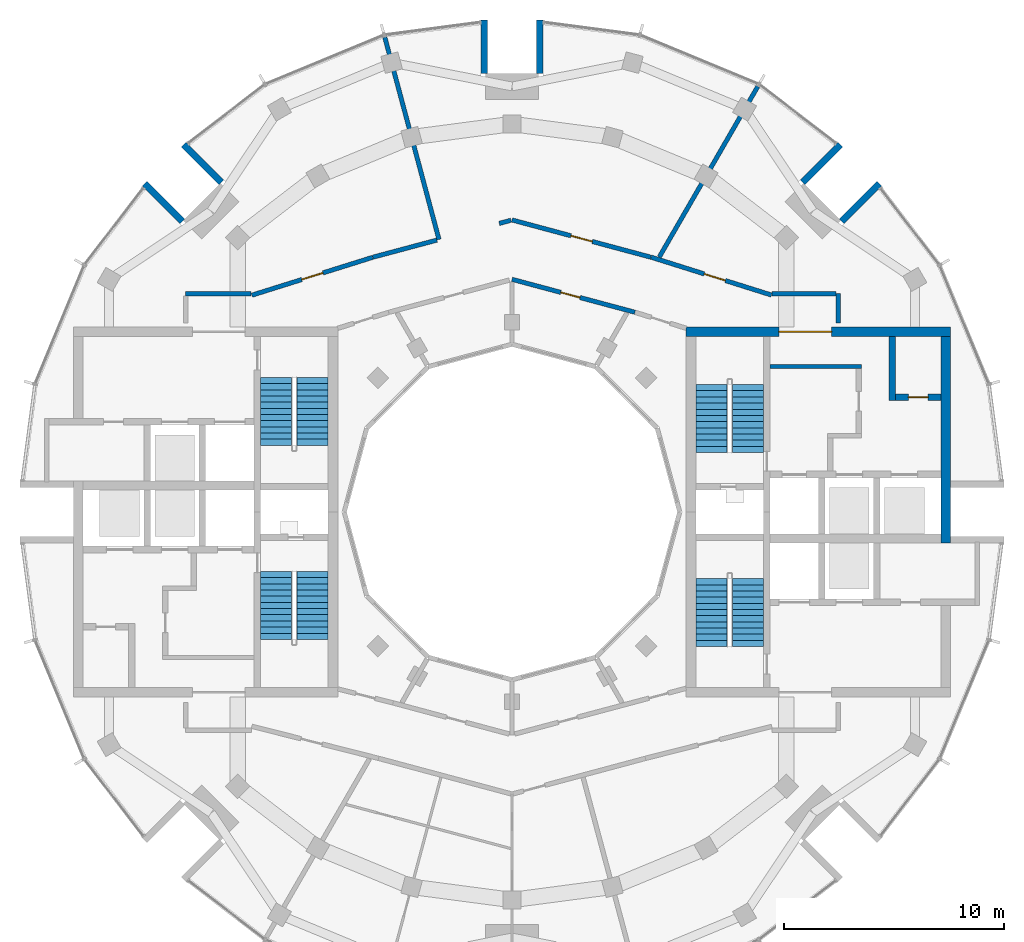
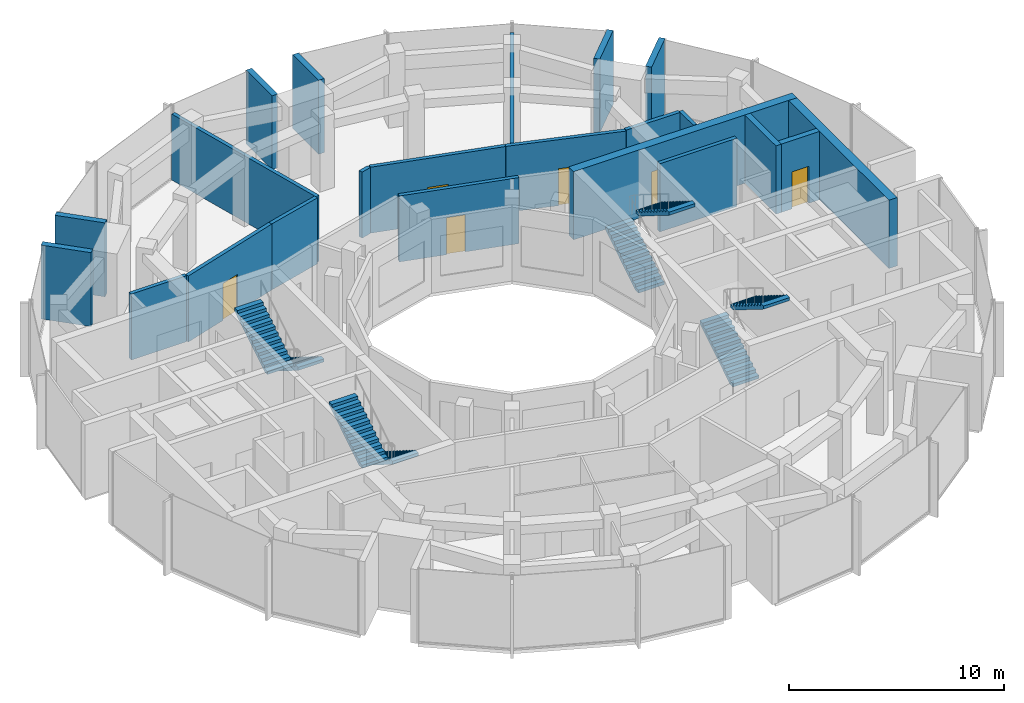
# One storey, part 11 of 13: 22 walls, 8 stair flights, 6 doors, 6 openings, 4 elements without a shape of their own.
"""IFC4 building model written with IfcOpenShell, lengths in metres."""

import ifcopenshell
import ifcopenshell.guid

model = None  # the IFC model being written
_history = None  # IfcOwnerHistory: only IFC2X3 demands one
_inside = {}  # id of a spatial element -> (the spatial element, [elements in it])
_under = {}  # id of a project, library or spatial element -> (it, [spatial elements below it])
_declared = {}  # id of a project -> (the project, [libraries it declares])
_typed = {}  # id of a type object -> (the type object, [elements of that type])
_made_of = {}  # id of a material, layer set ... -> (it, [elements and type objects made of it])


def new_model(schema):
    """Start an empty IFC model of exactly this schema.

    Asked for "IFC4X3", IfcOpenShell would pick the latest addendum, in which some entities
    have other attributes; the version numbers below select the first issue.
    IFC2X3 requires an IfcOwnerHistory on every rooted entity: one is made here for all.
    """
    global model, _history
    if schema == "IFC4X3":
        model = ifcopenshell.file(schema_version=(4, 3, 0, 0))
    else:
        model = ifcopenshell.file(schema=schema)
    _inside.clear()
    _under.clear()
    _declared.clear()
    _typed.clear()
    _made_of.clear()
    _history = None
    if model.schema == "IFC2X3":
        org = make("IfcOrganization", Name="unknown")
        user = make(
            "IfcPersonAndOrganization",
            ThePerson=make("IfcPerson", FamilyName="unknown"),
            TheOrganization=org,
        )
        app = make(
            "IfcApplication",
            ApplicationDeveloper=org,
            Version="unknown",
            ApplicationFullName="unknown",
            ApplicationIdentifier="unknown",
        )
        _history = make(
            "IfcOwnerHistory",
            OwningUser=user,
            OwningApplication=app,
            ChangeAction="ADDED",
            CreationDate=0,
        )
    return model


def make(cls, **values):
    """One entity of the class cls with the attributes given. An attribute that is None is left unset."""
    return model.create_entity(
        cls, **{name: value for name, value in values.items() if value is not None}
    )


def rooted(cls, **values):
    """An entity with a GlobalId (a new one), such as an element, a storey or a relation."""
    return make(cls, GlobalId=ifcopenshell.guid.new(), OwnerHistory=_history, **values)


def si_unit(unit_type, name, prefix=None):
    """IfcSIUnit, for example si_unit("LENGTHUNIT", "METRE", prefix="MILLI")."""
    return make("IfcSIUnit", UnitType=unit_type, Prefix=prefix, Name=name)


def assignment(units):
    """IfcUnitAssignment: the units of a project."""
    return None if units is None else make("IfcUnitAssignment", Units=units)


def point(xyz):
    """IfcCartesianPoint."""
    return None if xyz is None else make("IfcCartesianPoint", Coordinates=xyz)


def direction(xyz):
    """IfcDirection."""
    return None if xyz is None else make("IfcDirection", DirectionRatios=xyz)


def frame(location, z_axis=None, x_axis=None):
    """IfcAxis2Placement3D, a coordinate frame: its origin and axes. An axis left out is left unset."""
    return make(
        "IfcAxis2Placement3D",
        Location=point(location),
        Axis=direction(z_axis),
        RefDirection=direction(x_axis),
    )


def frame_2d(location, x_axis=None):
    """IfcAxis2Placement2D, a coordinate frame in the plane: its origin and x axis."""
    return make(
        "IfcAxis2Placement2D", Location=point(location), RefDirection=direction(x_axis)
    )


def origin():
    """The frame at (0, 0, 0) with its axes left unset."""
    return frame((0.0, 0.0, 0.0))


def place(relative_to, where):
    """IfcLocalPlacement: puts the frame where relative to a parent placement (None: the world)."""
    return make(
        "IfcLocalPlacement", PlacementRelTo=relative_to, RelativePlacement=where
    )


def context(
    kind, dimensions, precision=None, world=None, true_north=None, identifier=None
):
    """IfcGeometricRepresentationContext, for example the 3D "Model" context."""
    return make(
        "IfcGeometricRepresentationContext",
        ContextIdentifier=identifier,
        ContextType=kind,
        CoordinateSpaceDimension=dimensions,
        Precision=precision,
        WorldCoordinateSystem=world,
        TrueNorth=true_north,
    )


def subcontext(parent, identifier, kind, view, scale=None):
    """IfcGeometricRepresentationSubContext, for example "Body" below "Model"."""
    return make(
        "IfcGeometricRepresentationSubContext",
        ContextIdentifier=identifier,
        ContextType=kind,
        ParentContext=parent,
        TargetScale=scale,
        TargetView=view,
    )


def project(units=None, contexts=None):
    """IfcProject with its units and contexts."""
    return rooted(
        "IfcProject",
        Name="project",
        RepresentationContexts=contexts,
        UnitsInContext=assignment(units),
    )


def spatial(cls, under=None, at=None, **own):
    """A site, building, storey or space (cls), placed at a placement, below another one or the project."""
    s = rooted(cls, ObjectPlacement=at, **own)
    if under is not None:
        _under.setdefault(under.id(), (under, []))[1].append(s)
    return s


def polyline(points):
    """IfcPolyline through the points."""
    return make("IfcPolyline", Points=[point(p) for p in points])


def profile(cls, at=None, kind="AREA", **sizes):
    """A parametric profile (cls). Its sizes go by their IFC names, for example OverallWidth=200.0."""
    return make(cls, ProfileType=kind, Position=at, **sizes)


def rectangle(**sizes):
    """IfcRectangleProfileDef."""
    return profile("IfcRectangleProfileDef", **sizes)


def outline(outer, holes=None, kind="AREA"):
    """IfcArbitraryClosedProfileDef: a profile drawn as a closed curve; with holes, ...WithVoids."""
    if holes is None:
        return make("IfcArbitraryClosedProfileDef", ProfileType=kind, OuterCurve=outer)
    return make(
        "IfcArbitraryProfileDefWithVoids",
        ProfileType=kind,
        OuterCurve=outer,
        InnerCurves=holes,
    )


def extrude(swept, where, along, depth):
    """IfcExtrudedAreaSolid: the profile swept, set in the frame where, extruded along a direction by depth."""
    return make(
        "IfcExtrudedAreaSolid",
        SweptArea=swept,
        Position=where,
        ExtrudedDirection=direction(along),
        Depth=depth,
    )


def shape(context_of_items, identifier, shape_type, items):
    """IfcShapeRepresentation: the items that make up one representation, for example the "Body"."""
    return make(
        "IfcShapeRepresentation",
        ContextOfItems=context_of_items,
        RepresentationIdentifier=identifier,
        RepresentationType=shape_type,
        Items=items,
    )


def material(Name=None, Category=None):
    """IfcMaterial."""
    return make("IfcMaterial", Name=Name, Category=Category)


def layer(
    of_material, thickness, ventilated=None, Name=None, Category=None, Priority=None
):
    """IfcMaterialLayer: one layer of a wall or slab, of a material (None: an air gap)."""
    return make(
        "IfcMaterialLayer",
        Material=of_material,
        LayerThickness=thickness,
        IsVentilated=ventilated,
        Name=Name,
        Category=Category,
        Priority=Priority,
    )


def layer_set(layers, Name=None):
    """IfcMaterialLayerSet."""
    return make("IfcMaterialLayerSet", MaterialLayers=layers, LayerSetName=Name)


def made_of(thing, what):
    """Note that an element or type object is made of a material, layer set ...; save() writes the relation."""
    if what is not None:
        _made_of.setdefault(what.id(), (what, []))[1].append(thing)
    return thing


def type_object(cls, material=None, **own):
    """A type object (cls), such as IfcWallType, which elements share."""
    return made_of(rooted(cls, **own), material)


def element(
    cls,
    number,
    at=None,
    inside=None,
    cuts=None,
    type_object=None,
    material=None,
    context=None,
    identifier="Body",
    shape_type=None,
    held_by="IfcProductDefinitionShape",
    body=None,
    shapes=None,
    **own,
):
    """One element of the class cls, such as IfcWall. Its Tag is "e" and its number.

    at: its placement. inside: the storey or other place that contains it. cuts: it is an
    opening in that element (IfcRelVoidsElement). A single representation is given by context,
    identifier, shape_type and body (its items); several are given by shapes. held_by: the class
    of the entity that holds the representations. save() writes the other relations.
    """
    e = rooted(cls, Tag="e%d" % number, ObjectPlacement=at, **own)
    if body is not None:
        shapes = [shape(context, identifier, shape_type, body)]
    if shapes is not None:
        e.Representation = make(held_by, Representations=shapes)
    if inside is not None:
        _inside.setdefault(inside.id(), (inside, []))[1].append(e)
    if cuts is not None:
        rooted(
            "IfcRelVoidsElement", RelatingBuildingElement=cuts, RelatedOpeningElement=e
        )
    if type_object is not None:
        _typed.setdefault(type_object.id(), (type_object, []))[1].append(e)
    return made_of(e, material)


def fill(opening, filler):
    """IfcRelFillsElement: the door or window that sits in an opening."""
    return rooted(
        "IfcRelFillsElement",
        RelatingOpeningElement=opening,
        RelatedBuildingElement=filler,
    )


def aggregate(whole, parts):
    """IfcRelAggregates: a whole, such as a stair, and the parts it consists of."""
    return rooted("IfcRelAggregates", RelatingObject=whole, RelatedObjects=parts)


def save(model, path):
    """Write the relations noted so far, then the file.

    IfcRelAggregates (storeys below a building ...), IfcRelContainedInSpatialStructure (elements
    in a storey), IfcRelDefinesByType, IfcRelAssociatesMaterial and IfcRelDeclares: one each for
    every whole, place, type object, material and project.
    """
    for whole, parts in _under.values():
        aggregate(whole, parts)
    for where, things in _inside.values():
        rooted(
            "IfcRelContainedInSpatialStructure",
            RelatedElements=things,
            RelatingStructure=where,
        )
    for kind, things in _typed.values():
        rooted("IfcRelDefinesByType", RelatedObjects=things, RelatingType=kind)
    for what, things in _made_of.values():
        rooted("IfcRelAssociatesMaterial", RelatedObjects=things, RelatingMaterial=what)
    for by, libraries in _declared.values():
        rooted("IfcRelDeclares", RelatingContext=by, RelatedDefinitions=libraries)
    model.write(path)


model = new_model("IFC4")

# Units and contexts
model_context = context("Model", 3, precision=1e-05, world=origin(), true_north=direction((0.0, 1.0)))
body_context = subcontext(model_context, "Body", "Model", "MODEL_VIEW")
ifc_project = project(units=[si_unit("LENGTHUNIT", "METRE"), si_unit("AREAUNIT", "SQUARE_METRE"), si_unit("VOLUMEUNIT", "CUBIC_METRE"), si_unit("PLANEANGLEUNIT", "RADIAN"), si_unit("MASSUNIT", "GRAM", prefix="KILO")], contexts=[model_context])

# Site, building, storey
site_placement = place(None, origin())
site = spatial("IfcSite", under=ifc_project, at=site_placement, CompositionType="ELEMENT")
building_placement = place(site_placement, origin())
building = spatial("IfcBuilding", under=site, at=building_placement, Name="Torre Brocal", CompositionType="ELEMENT")
storey_placement = place(building_placement, frame((0.0, 0.0, 296.699951171875)))
storey = spatial("IfcBuildingStorey", under=building, at=storey_placement, Name="L68", CompositionType="ELEMENT", Elevation=296.699951171875)

# Walls
ifc_material_1 = material(Name="Concrete C50", Category="concrete")
ifc_layer_1 = layer(ifc_material_1, 0.199951171875)
ifc_layer_set_1 = layer_set([ifc_layer_1], Name="Concrete C50")
wall_type_1 = type_object("IfcWallType", Name="CORE WALL 200 C50", PredefinedType="SHEAR", material=ifc_layer_set_1)
wall_1_placement = place(storey_placement, frame((91.699951171875, 81.60009765625, 0.0), z_axis=(0.0, 0.0, 1.0), x_axis=(1.0, 0.0, 0.0)))
element("IfcWall", 1, at=wall_1_placement, inside=storey, type_object=wall_type_1, Name="Wall CW200-50", PredefinedType="SHEAR", context=body_context, shape_type="SweptSolid", body=[
    extrude(rectangle(XDim=4.150146484375, YDim=0.199951171875, at=frame_2d((2.0751953125, 0.0))), origin(), (0.0, 0.0, 1.0), 3.880126953125),
])
ifc_material_2 = material(Name="Concrete C50", Category="concrete")
ifc_layer_2 = layer(ifc_material_2, 0.300048828125)
ifc_layer_set_2 = layer_set([ifc_layer_2], Name="Concrete C50")
wall_type_2 = type_object("IfcWallType", Name="CORE WALL 300 C50", PredefinedType="SHEAR", material=ifc_layer_set_2)
wall_2_placement = place(storey_placement, frame((97.25, 80.050048828125, 0.0), z_axis=(0.0, 0.0, 1.0), x_axis=(0.0, 1.0, 0.0)))
element("IfcWall", 2, at=wall_2_placement, inside=storey, type_object=wall_type_2, Name="Wall CW300-50", PredefinedType="SHEAR", context=body_context, shape_type="SweptSolid", body=[
    extrude(rectangle(XDim=2.89990234375, YDim=0.300048828125, at=frame_2d((1.449951171875, 0.0))), origin(), (0.0, 0.0, 1.0), 3.880126953125),
])

# Wall, opening, door
wall_3_placement = place(storey_placement, frame((97.39990234375, 80.199951171875, 0.0), z_axis=(0.0, 0.0, 1.0), x_axis=(1.0, 0.0, 0.0)))
wall_3 = element("IfcWall", 3, at=wall_3_placement, inside=storey, type_object=wall_type_2, Name="Wall CW300-50", PredefinedType="SHEAR", context=body_context, shape_type="SweptSolid", body=[
    extrude(rectangle(XDim=2.050048828125, YDim=0.300048828125, at=frame_2d((1.02490234375, 0.0))), origin(), (0.0, 0.0, 1.0), 3.880126953125),
])
opening_1_placement = place(wall_3_placement, frame((0.574951171875, 0.0, 0.0)))
opening_1 = element("IfcOpeningElement", 4, at=opening_1_placement, cuts=wall_3, Name="Opening E-D06", PredefinedType="OPENING", context=body_context, shape_type="SweptSolid", body=[
    extrude(rectangle(XDim=0.89990234375, YDim=2.10009765625, at=frame_2d((0.449951171875, 1.050048828125))), frame((0.0, 0.159912109375, 0.0), z_axis=(0.0, -1.0, 0.0), x_axis=(1.0, 0.0, 0.0)), (0.0, 0.0, 1.0), 0.320068359375),
])
ifc_material_3 = material(Name="Steel A653", Category="steel")
door_type_1 = type_object("IfcDoorType", Name="ROOM DOOR FD30S 900X2100", OperationType="SINGLE_SWING_LEFT", PredefinedType="DOOR", material=ifc_material_3)
door_1_placement = place(opening_1_placement, origin())
door_1 = element("IfcDoor", 5, at=door_1_placement, inside=storey, type_object=door_type_1, Name="Door E-D06", OperationType="SINGLE_SWING_RIGHT", OverallHeight=2.10009765625, OverallWidth=0.89990234375, PredefinedType="DOOR", context=body_context, shape_type="SweptSolid", body=[
    extrude(rectangle(XDim=0.89990234375, YDim=2.10009765625, at=frame_2d((0.449951171875, 1.050048828125))), frame((0.0, 0.02490234375, 0.0), z_axis=(0.0, -1.0, 0.0), x_axis=(1.0, 0.0, 0.0)), (0.0, 0.0, 1.0), 0.050048828125),
])
fill(opening_1, door_1)

ifc_material_4 = material(Name="Concrete C50", Category="concrete")
ifc_layer_3 = layer(ifc_material_4, 0.449951171875)
ifc_layer_set_3 = layer_set([ifc_layer_3], Name="Concrete C50")
wall_type_3 = type_object("IfcWallType", Name="CORE WALL 450 C50", PredefinedType="SHEAR", material=ifc_layer_set_3)
wall_4_placement = place(storey_placement, frame((87.89990234375, 83.175048828125, 0.0), z_axis=(0.0, 0.0, 1.0), x_axis=(1.0, 0.0, 0.0)))
wall_4 = element("IfcWall", 6, at=wall_4_placement, inside=storey, type_object=wall_type_3, Name="Wall CW450-50", PredefinedType="SHEAR", context=body_context, shape_type="SweptSolid", body=[
    extrude(rectangle(XDim=12.0, YDim=0.449951171875, at=frame_2d((6.0, 0.0))), origin(), (0.0, 0.0, 1.0), 3.880126953125),
])
opening_2_placement = place(wall_4_placement, frame((4.199951171875, 0.0, 0.0)))
opening_2 = element("IfcOpeningElement", 7, at=opening_2_placement, cuts=wall_4, Name="Opening E-D24", PredefinedType="OPENING", context=body_context, shape_type="SweptSolid", body=[
    extrude(rectangle(XDim=2.39990234375, YDim=2.39990234375, at=frame_2d((1.199951171875, 1.199951171875))), frame((0.0, 0.23486328125, 0.0), z_axis=(0.0, -1.0, 0.0), x_axis=(1.0, 0.0, 0.0)), (0.0, 0.0, 1.0), 0.469970703125),
])
ifc_material_5 = material(Name="Steel A653", Category="steel")
door_type_2 = type_object("IfcDoorType", Name="DOUBLE FIRE DOOR FD90 2400X2400", OperationType="DOUBLE_DOOR_SINGLE_SWING", PredefinedType="DOOR", material=ifc_material_5)
door_2_placement = place(opening_2_placement, frame((2.39990234375, 0.0, 0.0), z_axis=(0.0, 0.0, 1.0), x_axis=(-1.0, 0.0, 0.0)))
door_2 = element("IfcDoor", 8, at=door_2_placement, inside=storey, type_object=door_type_2, Name="Door E-D24", OperationType="DOUBLE_DOOR_SINGLE_SWING", OverallHeight=2.39990234375, OverallWidth=2.39990234375, PredefinedType="DOOR", context=body_context, shape_type="SweptSolid", body=[
    extrude(rectangle(XDim=2.39990234375, YDim=2.39990234375, at=frame_2d((1.199951171875, 1.199951171875))), frame((0.0, 0.02490234375, 0.0), z_axis=(0.0, -1.0, 0.0), x_axis=(1.0, 0.0, 0.0)), (0.0, 0.0, 1.0), 0.050048828125),
])
fill(opening_2, door_2)

# Walls
wall_5_placement = place(storey_placement, frame((99.675048828125, 73.60009765625, 0.0), z_axis=(0.0, 0.0, 1.0), x_axis=(0.0, 1.0, 0.0)))
element("IfcWall", 9, at=wall_5_placement, inside=storey, type_object=wall_type_3, Name="Wall CW450-50", PredefinedType="SHEAR", context=body_context, shape_type="SweptSolid", body=[
    extrude(rectangle(XDim=9.349853515625, YDim=0.449951171875, at=frame_2d((4.6748046875, 0.0))), origin(), (0.0, 0.0, 1.0), 3.880126953125),
])
ifc_material_6 = material(Name="Concrete C50", Category="concrete")
ifc_layer_4 = layer(ifc_material_6, 0.300048828125)
ifc_layer_set_4 = layer_set([ifc_layer_4], Name="Concrete C50")
wall_type_4 = type_object("IfcWallType", Name="NOTCH RETURN WALL 300 C50", PredefinedType="NOTDEFINED", material=ifc_layer_set_4)
for number, where, z_axis, x_axis, name in (
    (10, (94.955322265625, 88.1875, 0.0), (0.0, 0.0, 1.0), (0.707106781187, 0.707106781187, 0.0), "NOTCH RETURN WALL"),
    (11, (93.1875, 89.955322265625, 0.0), (0.0, 0.0, 1.0), (0.707106781187, 0.707106781187, 0.0), "NOTCH RETURN WALL"),
    (12, (81.25, 94.89990234375, 0.0), (0.0, 0.0, 1.0), (0.0, 1.0, 0.0), "NOTCH RETURN WALL"),
    (13, (78.75, 94.89990234375, 0.0), (0.0, 0.0, 1.0), (0.0, 1.0, 0.0), "NOTCH RETURN WALL"),
    (14, (66.8125, 89.955322265625, 0.0), (0.0, 0.0, 1.0), (-0.707106781187, 0.707106781187, 0.0), "NOTCH RETURN WALL"),
    (15, (65.044677734375, 88.1875, 0.0), (0.0, 0.0, 1.0), (-0.707106781187, 0.707106781187, 0.0), "NOTCH RETURN WALL"),
):
    element("IfcWall", number, at=place(storey_placement, frame(where, z_axis=z_axis, x_axis=x_axis)), inside=storey, type_object=wall_type_4, Name=name, PredefinedType="NOTDEFINED", context=body_context, shape_type="SweptSolid", body=[
        extrude(rectangle(XDim=2.415771484375, YDim=0.300048828125, at=frame_2d((1.2080078125, 0.0))), origin(), (0.0, 0.0, 1.0), 4.199951171875),
    ])
ifc_material_7 = material(Name="Gypsum board", Category="Gypsum")
ifc_layer_5 = layer(ifc_material_7, 0.199951171875)
ifc_layer_set_5 = layer_set([ifc_layer_5], Name="Gypsum board")
wall_type_5 = type_object("IfcWallType", Name="PARTITION 200 EI60", PredefinedType="PARTITIONING", material=ifc_layer_set_5)
wall_6_placement = place(storey_placement, frame((65.199951171875, 84.89990234375, 0.0), z_axis=(0.0, 0.0, 1.0), x_axis=(1.0, 0.0, 0.0)))
element("IfcWall", 16, at=wall_6_placement, inside=storey, type_object=wall_type_5, Name="FLAT ENTRANCE WALL", PredefinedType="PARTITIONING", context=body_context, shape_type="SweptSolid", body=[
    extrude(rectangle(XDim=2.969970703125, YDim=0.199951171875, at=frame_2d((1.48486328125, 0.0))), origin(), (0.0, 0.0, 1.0), 3.75),
])

# Wall, opening, door
wall_7_placement = place(storey_placement, frame((68.200927734375, 84.83349609375, 0.0), z_axis=(0.0, 0.0, 1.0), x_axis=(0.95420102455, 0.299166182492, 0.0)))
wall_7 = element("IfcWall", 17, at=wall_7_placement, inside=storey, type_object=wall_type_5, Name="FLAT ENTRANCE WALL", PredefinedType="PARTITIONING", context=body_context, shape_type="SweptSolid", body=[
    extrude(rectangle(XDim=5.739501953125, YDim=0.199951171875, at=frame_2d((2.86962890625, 0.0))), origin(), (0.0, 0.0, 1.0), 3.75),
])
opening_3_placement = place(wall_7_placement, frame((2.374267578125, 0.0, 0.0)))
opening_3 = element("IfcOpeningElement", 18, at=opening_3_placement, cuts=wall_7, Name="Opening N03-D03", PredefinedType="OPENING", context=body_context, shape_type="SweptSolid", body=[
    extrude(rectangle(XDim=1.0, YDim=2.10009765625, at=frame_2d((0.5, 1.050048828125))), frame((0.0, 0.10986328125, 0.0), z_axis=(0.0, -1.0, 0.0), x_axis=(1.0, 0.0, 0.0)), (0.0, 0.0, 1.0), 0.219970703125),
])
ifc_material_8 = material(Name="Timber", Category="wood")
door_type_3 = type_object("IfcDoorType", Name="FLAT ENTRY DOOR FD30S 1000X2100", OperationType="SINGLE_SWING_RIGHT", PredefinedType="DOOR", material=ifc_material_8)
door_3_placement = place(opening_3_placement, origin())
door_3 = element("IfcDoor", 19, at=door_3_placement, inside=storey, type_object=door_type_3, Name="N03-D03", OperationType="SINGLE_SWING_LEFT", OverallHeight=2.10009765625, OverallWidth=1.0, PredefinedType="DOOR", context=body_context, shape_type="SweptSolid", body=[
    extrude(rectangle(XDim=1.0, YDim=2.10009765625, at=frame_2d((0.5, 1.050048828125))), frame((0.0, 0.02490234375, 0.0), z_axis=(0.0, -1.0, 0.0), x_axis=(1.0, 0.0, 0.0)), (0.0, 0.0, 1.0), 0.050048828125),
])
fill(opening_3, door_3)

# Walls
wall_8_placement = place(storey_placement, frame((73.686767578125, 86.5546875, 0.0), z_axis=(0.0, 0.0, 1.0), x_axis=(0.965987897826, 0.258587279759, 0.0)))
element("IfcWall", 20, at=wall_8_placement, inside=storey, type_object=wall_type_5, Name="FLAT ENTRANCE WALL", PredefinedType="PARTITIONING", context=body_context, shape_type="SweptSolid", body=[
    extrude(rectangle(XDim=3.007080078125, YDim=0.199951171875, at=frame_2d((1.50341796875, 0.0))), origin(), (0.0, 0.0, 1.0), 3.75),
])
wall_9_placement = place(storey_placement, frame((74.22998046875, 96.53759765625, 0.0), z_axis=(0.0, 0.0, 1.0), x_axis=(0.258775468547, -0.965937501538, 0.0)))
element("IfcWall", 21, at=wall_9_placement, inside=storey, type_object=wall_type_5, Name="PARTY PARTITION", PredefinedType="PARTITIONING", context=body_context, shape_type="SweptSolid", body=[
    extrude(rectangle(XDim=9.50244140625, YDim=0.199951171875, at=frame_2d((4.751220703125, 0.0))), origin(), (0.0, 0.0, 1.0), 3.75),
])
wall_10_placement = place(storey_placement, frame((79.42138671875, 88.08984375, 0.0), z_axis=(0.0, 0.0, 1.0), x_axis=(0.966065016104, 0.258299021793, 0.0)))
element("IfcWall", 22, at=wall_10_placement, inside=storey, type_object=wall_type_5, Name="FLAT ENTRANCE WALL", PredefinedType="PARTITIONING", context=body_context, shape_type="SweptSolid", body=[
    extrude(rectangle(XDim=0.549072265625, YDim=0.199951171875, at=frame_2d((0.2744140625, 0.0))), origin(), (0.0, 0.0, 1.0), 3.75),
])

# Wall, opening, door
wall_11_placement = place(storey_placement, frame((80.0, 85.553955078125, 0.0), z_axis=(0.0, 0.0, 1.0), x_axis=(0.965928989968, -0.258807237802, 0.0)))
wall_11 = element("IfcWall", 23, at=wall_11_placement, inside=storey, type_object=wall_type_5, Name="CORRIDOR WALL", PredefinedType="PARTITIONING", context=body_context, shape_type="SweptSolid", body=[
    extrude(rectangle(XDim=5.774169921875, YDim=0.199951171875, at=frame_2d((2.88720703125, 0.0))), origin(), (0.0, 0.0, 1.0), 3.75),
])
opening_4_placement = place(wall_11_placement, frame((2.29150390625, 0.0, 0.0)))
opening_4 = element("IfcOpeningElement", 24, at=opening_4_placement, cuts=wall_11, Name="Opening N03-D05", PredefinedType="OPENING", context=body_context, shape_type="SweptSolid", body=[
    extrude(rectangle(XDim=0.89990234375, YDim=2.10009765625, at=frame_2d((0.449951171875, 1.050048828125))), frame((0.0, 0.10986328125, 0.0), z_axis=(0.0, -1.0, 0.0), x_axis=(1.0, 0.0, 0.0)), (0.0, 0.0, 1.0), 0.219970703125),
])
ifc_material_9 = material(Name="Timber", Category="wood")
door_type_4 = type_object("IfcDoorType", Name="ROOM DOOR 900X2100", OperationType="SINGLE_SWING_LEFT", PredefinedType="DOOR", material=ifc_material_9)
door_4_placement = place(opening_4_placement, frame((0.89990234375, 0.0, 0.0), z_axis=(0.0, 0.0, 1.0), x_axis=(-1.0, 0.0, 0.0)))
door_4 = element("IfcDoor", 25, at=door_4_placement, inside=storey, type_object=door_type_4, Name="N03-D05", OperationType="SINGLE_SWING_LEFT", OverallHeight=2.10009765625, OverallWidth=0.89990234375, PredefinedType="DOOR", context=body_context, shape_type="SweptSolid", body=[
    extrude(rectangle(XDim=0.89990234375, YDim=2.10009765625, at=frame_2d((0.449951171875, 1.050048828125))), frame((0.0, 0.02490234375, 0.0), z_axis=(0.0, -1.0, 0.0), x_axis=(1.0, 0.0, 0.0)), (0.0, 0.0, 1.0), 0.050048828125),
])
fill(opening_4, door_4)

wall_12_placement = place(storey_placement, frame((80.0, 88.24609375, 0.0), z_axis=(0.0, 0.0, 1.0), x_axis=(0.965856994925, -0.259075790752, 0.0)))
wall_12 = element("IfcWall", 26, at=wall_12_placement, inside=storey, type_object=wall_type_5, Name="FLAT ENTRANCE WALL", PredefinedType="PARTITIONING", context=body_context, shape_type="SweptSolid", body=[
    extrude(rectangle(XDim=6.52587890625, YDim=0.199951171875, at=frame_2d((3.262939453125, 0.0))), origin(), (0.0, 0.0, 1.0), 3.75),
])
opening_5_placement = place(wall_12_placement, frame((2.767822265625, 0.0, 0.0)))
opening_5 = element("IfcOpeningElement", 27, at=opening_5_placement, cuts=wall_12, Name="Opening N03-D02", PredefinedType="OPENING", context=body_context, shape_type="SweptSolid", body=[
    extrude(rectangle(XDim=1.0, YDim=2.10009765625, at=frame_2d((0.5, 1.050048828125))), frame((0.0, 0.10986328125, 0.0), z_axis=(0.0, -1.0, 0.0), x_axis=(1.0, 0.0, 0.0)), (0.0, 0.0, 1.0), 0.219970703125),
])
door_5_placement = place(opening_5_placement, origin())
door_5 = element("IfcDoor", 28, at=door_5_placement, inside=storey, type_object=door_type_3, Name="N03-D02", OperationType="SINGLE_SWING_RIGHT", OverallHeight=2.10009765625, OverallWidth=1.0, PredefinedType="DOOR", context=body_context, shape_type="SweptSolid", body=[
    extrude(rectangle(XDim=1.0, YDim=2.10009765625, at=frame_2d((0.5, 1.050048828125))), frame((0.0, 0.02490234375, 0.0), z_axis=(0.0, -1.0, 0.0), x_axis=(1.0, 0.0, 0.0)), (0.0, 0.0, 1.0), 0.050048828125),
])
fill(opening_5, door_5)

wall_13_placement = place(storey_placement, frame((86.313720703125, 86.555908203125, 0.0), z_axis=(0.0, 0.0, 1.0), x_axis=(0.953912400139, -0.300085209334, 0.0)))
wall_13 = element("IfcWall", 29, at=wall_13_placement, inside=storey, type_object=wall_type_5, Name="FLAT ENTRANCE WALL", PredefinedType="PARTITIONING", context=body_context, shape_type="SweptSolid", body=[
    extrude(rectangle(XDim=5.719482421875, YDim=0.199951171875, at=frame_2d((2.85986328125, 0.0))), origin(), (0.0, 0.0, 1.0), 3.75),
])
opening_6_placement = place(wall_13_placement, frame((2.524169921875, 0.0, 0.0)))
opening_6 = element("IfcOpeningElement", 30, at=opening_6_placement, cuts=wall_13, Name="Opening N03-D01", PredefinedType="OPENING", context=body_context, shape_type="SweptSolid", body=[
    extrude(rectangle(XDim=1.0, YDim=2.10009765625, at=frame_2d((0.5, 1.050048828125))), frame((0.0, 0.10986328125, 0.0), z_axis=(0.0, -1.0, 0.0), x_axis=(1.0, 0.0, 0.0)), (0.0, 0.0, 1.0), 0.219970703125),
])
door_6_placement = place(opening_6_placement, origin())
door_6 = element("IfcDoor", 31, at=door_6_placement, inside=storey, type_object=door_type_3, Name="N03-D01", OperationType="SINGLE_SWING_LEFT", OverallHeight=2.10009765625, OverallWidth=1.0, PredefinedType="DOOR", context=body_context, shape_type="SweptSolid", body=[
    extrude(rectangle(XDim=1.0, YDim=2.10009765625, at=frame_2d((0.5, 1.050048828125))), frame((0.0, 0.02490234375, 0.0), z_axis=(0.0, -1.0, 0.0), x_axis=(1.0, 0.0, 0.0)), (0.0, 0.0, 1.0), 0.050048828125),
])
fill(opening_6, door_6)

# Walls
wall_14_placement = place(storey_placement, frame((86.6787109375, 86.56298828125, 0.0), z_axis=(0.0, 0.0, 1.0), x_axis=(0.500152516677, 0.865937330331, 0.0)))
element("IfcWall", 32, at=wall_14_placement, inside=storey, type_object=wall_type_5, Name="PARTY PARTITION", PredefinedType="PARTITIONING", context=body_context, shape_type="SweptSolid", body=[
    extrude(rectangle(XDim=8.943115234375, YDim=0.199951171875, at=frame_2d((4.4716796875, 0.0))), origin(), (0.0, 0.0, 1.0), 3.75),
])
wall_15_placement = place(storey_placement, frame((91.800048828125, 84.89990234375, 0.0), z_axis=(0.0, 0.0, 1.0), x_axis=(1.0, 0.0, 0.0)))
element("IfcWall", 33, at=wall_15_placement, inside=storey, type_object=wall_type_5, Name="FLAT ENTRANCE WALL", PredefinedType="PARTITIONING", context=body_context, shape_type="SweptSolid", body=[
    extrude(rectangle(XDim=2.89990234375, YDim=0.199951171875, at=frame_2d((1.449951171875, 0.0))), origin(), (0.0, 0.0, 1.0), 3.75),
])
wall_16_placement = place(storey_placement, frame((94.800048828125, 83.576904296875, 0.0), z_axis=(0.0, 0.0, 1.0), x_axis=(0.0, 1.0, 0.0)))
element("IfcWall", 34, at=wall_16_placement, inside=storey, type_object=wall_type_5, Name="FLAT ENTRANCE WALL", PredefinedType="PARTITIONING", context=body_context, shape_type="SweptSolid", body=[
    extrude(rectangle(XDim=1.322998046875, YDim=0.199951171875, at=frame_2d((0.66162109375, 0.0))), origin(), (0.0, 0.0, 1.0), 3.75),
])

# Stair, stair flights
ifc_material_10 = material(Name="Concrete C50", Category="concrete")
stair_type = type_object("IfcStairType", Name="EXIT STAIR", PredefinedType="HALF_TURN_STAIR", material=ifc_material_10)
stair_1_placement = place(storey_placement, origin())
stair_1 = element("IfcStair", 35, at=stair_1_placement, inside=storey, type_object=stair_type, Name="EXIT STAIR ST1", PredefinedType="HALF_TURN_STAIR")
ifc_material_11 = material(Name="Concrete C50", Category="concrete")
ifc_layer_6 = layer(ifc_material_11, 0.14990234375)
ifc_layer_set_6 = layer_set([ifc_layer_6], Name="Concrete C50")
stair_flight_type = type_object("IfcStairFlightType", Name="STAIR FLIGHT", PredefinedType="STRAIGHT", material=ifc_layer_set_6)
stair_flight_1_placement = place(storey_placement, frame((89.050048828125, 77.699951171875, 0.0), z_axis=(0.0, 0.0, 1.0), x_axis=(0.0, 1.0, 0.0)))
stair_flight_1 = element("IfcStairFlight", 36, at=stair_flight_1_placement, type_object=stair_flight_type, Name="ST1 flight 1", NumberOfRisers=12, NumberOfTreads=11, PredefinedType="STRAIGHT", RiserHeight=0.175, TreadLength=0.28, context=body_context, shape_type="SweptSolid", body=[
    extrude(outline(polyline([(0.0, 0.0), (0.0, 0.175048828125), (0.280029296875, 0.175048828125), (0.280029296875, 0.35009765625), (0.56005859375, 0.35009765625), (0.56005859375, 0.52490234375), (0.840087890625, 0.52490234375), (0.840087890625, 0.699951171875), (1.1201171875, 0.699951171875), (1.1201171875, 0.875), (1.39990234375, 0.875), (1.39990234375, 1.050048828125), (1.679931640625, 1.050048828125), (1.679931640625, 1.22509765625), (1.9599609375, 1.22509765625), (1.9599609375, 1.39990234375), (2.239990234375, 1.39990234375), (2.239990234375, 1.574951171875), (2.52001953125, 1.574951171875), (2.52001953125, 1.75), (2.800048828125, 1.75), (2.800048828125, 1.925048828125), (3.080078125, 1.925048828125), (3.080078125, 2.10009765625), (3.080078125, 1.748291015625), (0.28271484375, 0.0), (0.0, 0.0)])), frame((0.0, 0.699951171875, 0.0), z_axis=(0.0, -1.0, 0.0), x_axis=(1.0, 0.0, 0.0)), (0.0, 0.0, 1.0), 1.39990234375),
])
stair_flight_2_placement = place(storey_placement, frame((90.699951171875, 80.780029296875, 2.10009765625), z_axis=(0.0, 0.0, 1.0), x_axis=(0.0, -1.0, 0.0)))
stair_flight_2 = element("IfcStairFlight", 37, at=stair_flight_2_placement, type_object=stair_flight_type, Name="ST1 flight 2", NumberOfRisers=12, NumberOfTreads=11, PredefinedType="STRAIGHT", RiserHeight=0.175, TreadLength=0.28, context=body_context, shape_type="SweptSolid", body=[
    extrude(outline(polyline([(0.0, 0.0), (0.0, 0.175048828125), (0.280029296875, 0.175048828125), (0.280029296875, 0.35009765625), (0.56005859375, 0.35009765625), (0.56005859375, 0.52490234375), (0.840087890625, 0.52490234375), (0.840087890625, 0.699951171875), (1.1201171875, 0.699951171875), (1.1201171875, 0.875), (1.39990234375, 0.875), (1.39990234375, 1.050048828125), (1.679931640625, 1.050048828125), (1.679931640625, 1.22509765625), (1.9599609375, 1.22509765625), (1.9599609375, 1.39990234375), (2.239990234375, 1.39990234375), (2.239990234375, 1.574951171875), (2.52001953125, 1.574951171875), (2.52001953125, 1.75), (2.800048828125, 1.75), (2.800048828125, 1.925048828125), (3.080078125, 1.925048828125), (3.080078125, 2.10009765625), (3.080078125, 1.748291015625), (0.28271484375, 0.0), (0.0, 0.0)])), frame((0.0, 0.699951171875, 0.0), z_axis=(0.0, -1.0, 0.0), x_axis=(1.0, 0.0, 0.0)), (0.0, 0.0, 1.0), 1.39990234375),
])
aggregate(stair_1, [stair_flight_1, stair_flight_2])

stair_2_placement = place(storey_placement, origin())
stair_2 = element("IfcStair", 38, at=stair_2_placement, inside=storey, type_object=stair_type, Name="EXIT STAIR ST2", PredefinedType="HALF_TURN_STAIR")
stair_flight_3_placement = place(storey_placement, frame((89.050048828125, 68.89990234375, 0.0), z_axis=(0.0, 0.0, 1.0), x_axis=(0.0, 1.0, 0.0)))
stair_flight_3 = element("IfcStairFlight", 39, at=stair_flight_3_placement, type_object=stair_flight_type, Name="ST2 flight 1", NumberOfRisers=12, NumberOfTreads=11, PredefinedType="STRAIGHT", RiserHeight=0.175, TreadLength=0.28, context=body_context, shape_type="SweptSolid", body=[
    extrude(outline(polyline([(0.0, 0.0), (0.0, 0.175048828125), (0.280029296875, 0.175048828125), (0.280029296875, 0.35009765625), (0.56005859375, 0.35009765625), (0.56005859375, 0.52490234375), (0.840087890625, 0.52490234375), (0.840087890625, 0.699951171875), (1.1201171875, 0.699951171875), (1.1201171875, 0.875), (1.39990234375, 0.875), (1.39990234375, 1.050048828125), (1.679931640625, 1.050048828125), (1.679931640625, 1.22509765625), (1.9599609375, 1.22509765625), (1.9599609375, 1.39990234375), (2.239990234375, 1.39990234375), (2.239990234375, 1.574951171875), (2.52001953125, 1.574951171875), (2.52001953125, 1.75), (2.800048828125, 1.75), (2.800048828125, 1.925048828125), (3.080078125, 1.925048828125), (3.080078125, 2.10009765625), (3.080078125, 1.748291015625), (0.28271484375, 0.0), (0.0, 0.0)])), frame((0.0, 0.699951171875, 0.0), z_axis=(0.0, -1.0, 0.0), x_axis=(1.0, 0.0, 0.0)), (0.0, 0.0, 1.0), 1.39990234375),
])
stair_flight_4_placement = place(storey_placement, frame((90.699951171875, 71.97998046875, 2.10009765625), z_axis=(0.0, 0.0, 1.0), x_axis=(0.0, -1.0, 0.0)))
stair_flight_4 = element("IfcStairFlight", 40, at=stair_flight_4_placement, type_object=stair_flight_type, Name="ST2 flight 2", NumberOfRisers=12, NumberOfTreads=11, PredefinedType="STRAIGHT", RiserHeight=0.175, TreadLength=0.28, context=body_context, shape_type="SweptSolid", body=[
    extrude(outline(polyline([(0.0, 0.0), (0.0, 0.175048828125), (0.280029296875, 0.175048828125), (0.280029296875, 0.35009765625), (0.56005859375, 0.35009765625), (0.56005859375, 0.52490234375), (0.840087890625, 0.52490234375), (0.840087890625, 0.699951171875), (1.1201171875, 0.699951171875), (1.1201171875, 0.875), (1.39990234375, 0.875), (1.39990234375, 1.050048828125), (1.679931640625, 1.050048828125), (1.679931640625, 1.22509765625), (1.9599609375, 1.22509765625), (1.9599609375, 1.39990234375), (2.239990234375, 1.39990234375), (2.239990234375, 1.574951171875), (2.52001953125, 1.574951171875), (2.52001953125, 1.75), (2.800048828125, 1.75), (2.800048828125, 1.925048828125), (3.080078125, 1.925048828125), (3.080078125, 2.10009765625), (3.080078125, 1.748291015625), (0.28271484375, 0.0), (0.0, 0.0)])), frame((0.0, 0.699951171875, 0.0), z_axis=(0.0, -1.0, 0.0), x_axis=(1.0, 0.0, 0.0)), (0.0, 0.0, 1.0), 1.39990234375),
])
aggregate(stair_2, [stair_flight_3, stair_flight_4])

stair_3_placement = place(storey_placement, origin())
stair_3 = element("IfcStair", 41, at=stair_3_placement, inside=storey, type_object=stair_type, Name="EXIT STAIR ST3", PredefinedType="HALF_TURN_STAIR")
stair_flight_5_placement = place(storey_placement, frame((70.949951171875, 72.300048828125, 0.0), z_axis=(0.0, 0.0, 1.0), x_axis=(0.0, -1.0, 0.0)))
stair_flight_5 = element("IfcStairFlight", 42, at=stair_flight_5_placement, type_object=stair_flight_type, Name="ST3 flight 1", NumberOfRisers=12, NumberOfTreads=11, PredefinedType="STRAIGHT", RiserHeight=0.175, TreadLength=0.28, context=body_context, shape_type="SweptSolid", body=[
    extrude(outline(polyline([(0.0, 0.0), (0.0, 0.175048828125), (0.280029296875, 0.175048828125), (0.280029296875, 0.35009765625), (0.56005859375, 0.35009765625), (0.56005859375, 0.52490234375), (0.840087890625, 0.52490234375), (0.840087890625, 0.699951171875), (1.1201171875, 0.699951171875), (1.1201171875, 0.875), (1.39990234375, 0.875), (1.39990234375, 1.050048828125), (1.679931640625, 1.050048828125), (1.679931640625, 1.22509765625), (1.9599609375, 1.22509765625), (1.9599609375, 1.39990234375), (2.239990234375, 1.39990234375), (2.239990234375, 1.574951171875), (2.52001953125, 1.574951171875), (2.52001953125, 1.75), (2.800048828125, 1.75), (2.800048828125, 1.925048828125), (3.080078125, 1.925048828125), (3.080078125, 2.10009765625), (3.080078125, 1.748291015625), (0.28271484375, 0.0), (0.0, 0.0)])), frame((0.0, 0.699951171875, 0.0), z_axis=(0.0, -1.0, 0.0), x_axis=(1.0, 0.0, 0.0)), (0.0, 0.0, 1.0), 1.39990234375),
])
stair_flight_6_placement = place(storey_placement, frame((69.300048828125, 69.219970703125, 2.10009765625), z_axis=(0.0, 0.0, 1.0), x_axis=(0.0, 1.0, 0.0)))
stair_flight_6 = element("IfcStairFlight", 43, at=stair_flight_6_placement, type_object=stair_flight_type, Name="ST3 flight 2", NumberOfRisers=12, NumberOfTreads=11, PredefinedType="STRAIGHT", RiserHeight=0.175, TreadLength=0.28, context=body_context, shape_type="SweptSolid", body=[
    extrude(outline(polyline([(0.0, 0.0), (0.0, 0.175048828125), (0.280029296875, 0.175048828125), (0.280029296875, 0.35009765625), (0.56005859375, 0.35009765625), (0.56005859375, 0.52490234375), (0.840087890625, 0.52490234375), (0.840087890625, 0.699951171875), (1.1201171875, 0.699951171875), (1.1201171875, 0.875), (1.39990234375, 0.875), (1.39990234375, 1.050048828125), (1.679931640625, 1.050048828125), (1.679931640625, 1.22509765625), (1.9599609375, 1.22509765625), (1.9599609375, 1.39990234375), (2.239990234375, 1.39990234375), (2.239990234375, 1.574951171875), (2.52001953125, 1.574951171875), (2.52001953125, 1.75), (2.800048828125, 1.75), (2.800048828125, 1.925048828125), (3.080078125, 1.925048828125), (3.080078125, 2.10009765625), (3.080078125, 1.748291015625), (0.28271484375, 0.0), (0.0, 0.0)])), frame((0.0, 0.699951171875, 0.0), z_axis=(0.0, -1.0, 0.0), x_axis=(1.0, 0.0, 0.0)), (0.0, 0.0, 1.0), 1.39990234375),
])
aggregate(stair_3, [stair_flight_5, stair_flight_6])

stair_4_placement = place(storey_placement, origin())
stair_4 = element("IfcStair", 44, at=stair_4_placement, inside=storey, type_object=stair_type, Name="EXIT STAIR ST4", PredefinedType="HALF_TURN_STAIR")
stair_flight_7_placement = place(storey_placement, frame((70.949951171875, 81.10009765625, 0.0), z_axis=(0.0, 0.0, 1.0), x_axis=(0.0, -1.0, 0.0)))
stair_flight_7 = element("IfcStairFlight", 45, at=stair_flight_7_placement, type_object=stair_flight_type, Name="ST4 flight 1", NumberOfRisers=12, NumberOfTreads=11, PredefinedType="STRAIGHT", RiserHeight=0.175, TreadLength=0.28, context=body_context, shape_type="SweptSolid", body=[
    extrude(outline(polyline([(0.0, 0.0), (0.0, 0.175048828125), (0.280029296875, 0.175048828125), (0.280029296875, 0.35009765625), (0.56005859375, 0.35009765625), (0.56005859375, 0.52490234375), (0.840087890625, 0.52490234375), (0.840087890625, 0.699951171875), (1.1201171875, 0.699951171875), (1.1201171875, 0.875), (1.39990234375, 0.875), (1.39990234375, 1.050048828125), (1.679931640625, 1.050048828125), (1.679931640625, 1.22509765625), (1.9599609375, 1.22509765625), (1.9599609375, 1.39990234375), (2.239990234375, 1.39990234375), (2.239990234375, 1.574951171875), (2.52001953125, 1.574951171875), (2.52001953125, 1.75), (2.800048828125, 1.75), (2.800048828125, 1.925048828125), (3.080078125, 1.925048828125), (3.080078125, 2.10009765625), (3.080078125, 1.748291015625), (0.28271484375, 0.0), (0.0, 0.0)])), frame((0.0, 0.699951171875, 0.0), z_axis=(0.0, -1.0, 0.0), x_axis=(1.0, 0.0, 0.0)), (0.0, 0.0, 1.0), 1.39990234375),
])
stair_flight_8_placement = place(storey_placement, frame((69.300048828125, 78.02001953125, 2.10009765625), z_axis=(0.0, 0.0, 1.0), x_axis=(0.0, 1.0, 0.0)))
stair_flight_8 = element("IfcStairFlight", 46, at=stair_flight_8_placement, type_object=stair_flight_type, Name="ST4 flight 2", NumberOfRisers=12, NumberOfTreads=11, PredefinedType="STRAIGHT", RiserHeight=0.175, TreadLength=0.28, context=body_context, shape_type="SweptSolid", body=[
    extrude(outline(polyline([(0.0, 0.0), (0.0, 0.175048828125), (0.280029296875, 0.175048828125), (0.280029296875, 0.35009765625), (0.56005859375, 0.35009765625), (0.56005859375, 0.52490234375), (0.840087890625, 0.52490234375), (0.840087890625, 0.699951171875), (1.1201171875, 0.699951171875), (1.1201171875, 0.875), (1.39990234375, 0.875), (1.39990234375, 1.050048828125), (1.679931640625, 1.050048828125), (1.679931640625, 1.22509765625), (1.9599609375, 1.22509765625), (1.9599609375, 1.39990234375), (2.239990234375, 1.39990234375), (2.239990234375, 1.574951171875), (2.52001953125, 1.574951171875), (2.52001953125, 1.75), (2.800048828125, 1.75), (2.800048828125, 1.925048828125), (3.080078125, 1.925048828125), (3.080078125, 2.10009765625), (3.080078125, 1.748291015625), (0.28271484375, 0.0), (0.0, 0.0)])), frame((0.0, 0.699951171875, 0.0), z_axis=(0.0, -1.0, 0.0), x_axis=(1.0, 0.0, 0.0)), (0.0, 0.0, 1.0), 1.39990234375),
])
aggregate(stair_4, [stair_flight_7, stair_flight_8])

save(model, "model.ifc")
